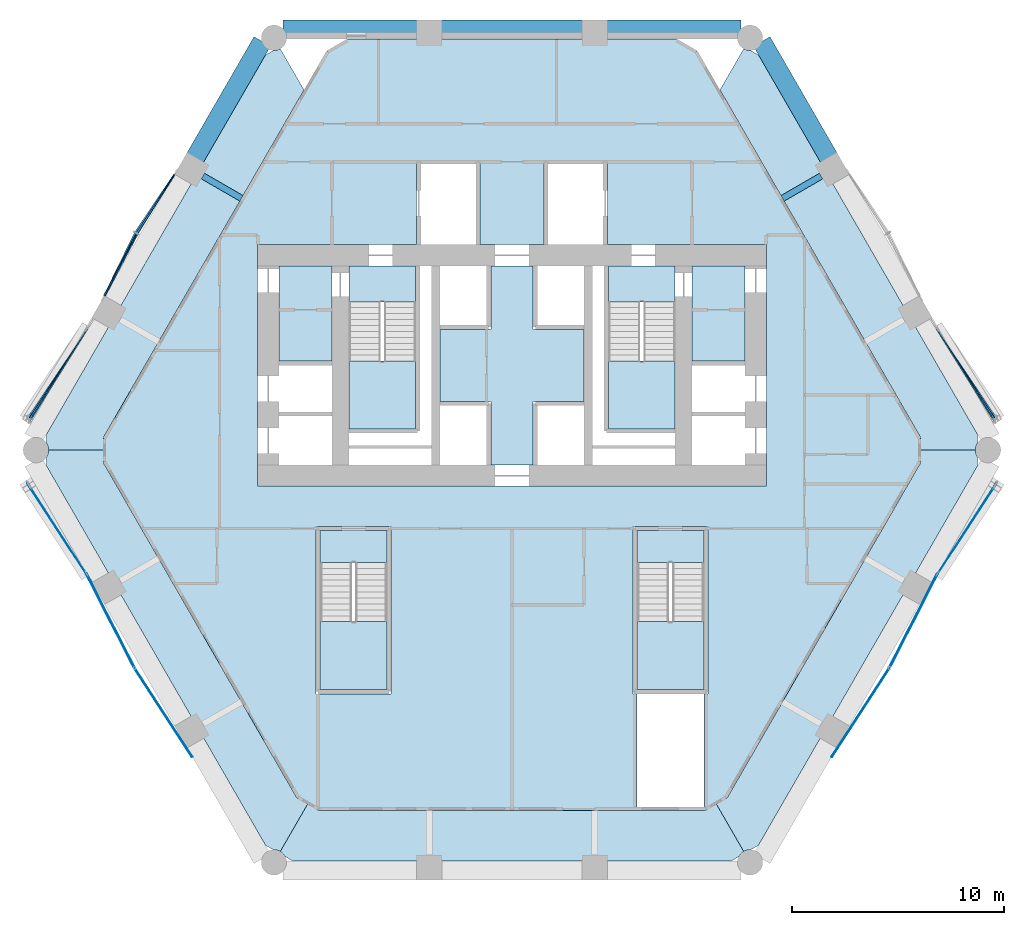
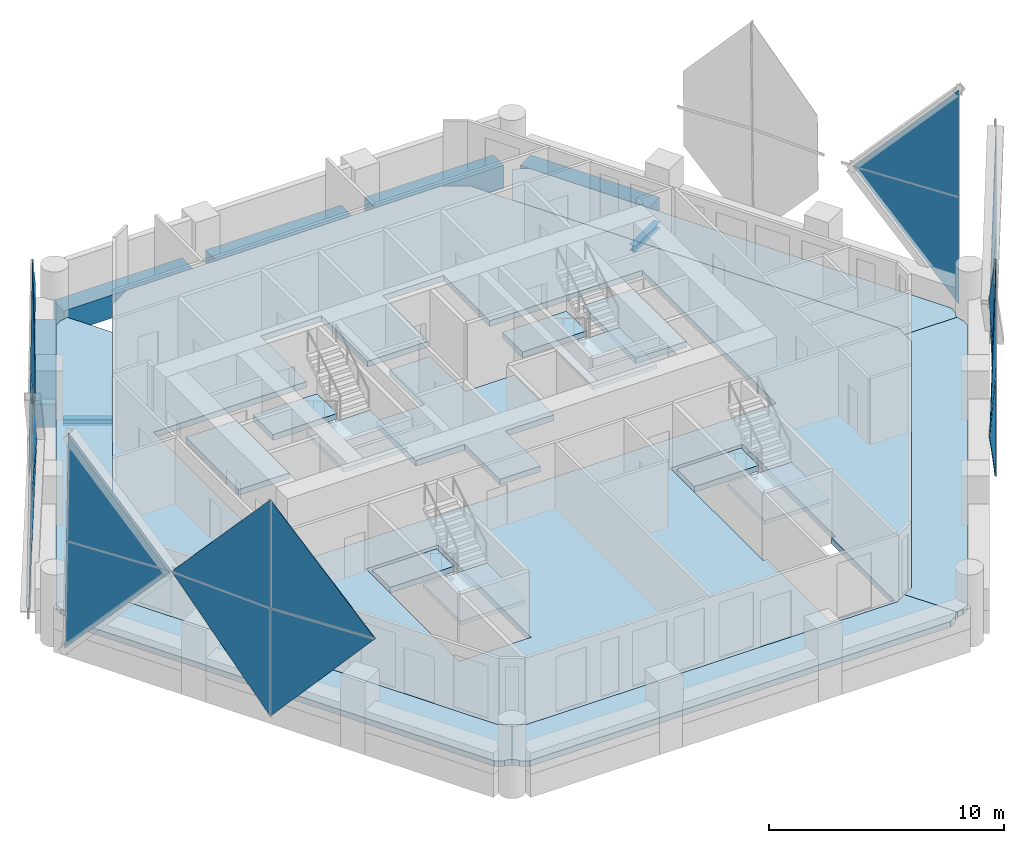
# One storey, part 8 of 16: 20 plates, 17 slabs, 7 beams, 18 elements without a shape of their own.
"""IFC4 building model written with IfcOpenShell, lengths in metres."""

from ifc_helpers import new_model, si_unit, direction, frame, origin, origin_2d, place, context, subcontext, project, spatial, polyline, rectangle, i_section, outline, extrude, material, layer, layer_set, material_profile, profile_set, type_object, element, aggregate, save


model = new_model("IFC4")

# Units and contexts
model_context = context("Model", 3, precision=1e-05, world=origin(), true_north=direction((0.0, 1.0)))
body_context = subcontext(model_context, "Body", "Model", "MODEL_VIEW")
ifc_project = project(units=[si_unit("LENGTHUNIT", "METRE"), si_unit("AREAUNIT", "SQUARE_METRE"), si_unit("VOLUMEUNIT", "CUBIC_METRE"), si_unit("PLANEANGLEUNIT", "RADIAN"), si_unit("MASSUNIT", "GRAM", prefix="KILO")], contexts=[model_context])

# Site, building, storey
site_placement = place(None, origin())
site = spatial("IfcSite", under=ifc_project, at=site_placement, CompositionType="ELEMENT")
building_placement = place(site_placement, origin())
building = spatial("IfcBuilding", under=site, at=building_placement, Name="Ostrander Bayou Hotel Tower", CompositionType="ELEMENT")
storey_placement = place(building_placement, frame((0.0, 0.0, 85.5)))
storey = spatial("IfcBuildingStorey", under=building, at=storey_placement, Name="L21", CompositionType="ELEMENT", Elevation=85.5)

# Beams
ifc_material_1 = material(Name="Steel ASTM A992", Category="steel")
ifc_material_profile_1 = material_profile(ifc_material_1, i_section(OverallWidth=0.3046875, OverallDepth=0.307861328125, WebThickness=0.010009765625, FlangeThickness=0.015380859375, at=origin_2d()))
ifc_profile_set_1 = profile_set([ifc_material_profile_1], Name="Steel ASTM A992")
beam_type_1 = type_object("IfcBeamType", Name="LB1 loggia bracket W12x65", PredefinedType="BEAM", material=ifc_profile_set_1)
for number, where, z_axis, x_axis, name in (
    (1, (-14.587646484375, 12.933349609375, -0.453857421875), (0.866009402589, -0.500027713859, 0.0), (0.500027713859, 0.866009402589, 0.0), "LB1 L21 NW1"),
    (2, (14.587646484375, 12.933349609375, -0.453857421875), (-0.866009402589, -0.500027713859, 0.0), (0.500027713859, -0.866009402589, 0.0), "LB1 L21 NE2"),
):
    element("IfcBeam", number, at=place(storey_placement, frame(where, z_axis=z_axis, x_axis=x_axis)), inside=storey, type_object=beam_type_1, Name=name, PredefinedType="BEAM", context=body_context, shape_type="SweptSolid", body=[
        extrude(i_section(OverallWidth=0.3046875, OverallDepth=0.307861328125, WebThickness=0.010009765625, FlangeThickness=0.015380859375, at=origin_2d()), origin(), (0.0, 0.0, 1.0), 2.10009765625),
    ])
ifc_material_2 = material(Name="Concrete f'c 70 MPa", Category="concrete")
ifc_material_profile_2 = material_profile(ifc_material_2, rectangle(XDim=0.89990234375, YDim=1.199951171875, at=origin_2d()))
ifc_profile_set_2 = profile_set([ifc_material_profile_2], Name="Concrete f'c 70 MPa")
beam_type_2 = type_object("IfcBeamType", Name="SP2 spandrel beam 900 x 1200 mm f'c 70 MPa", PredefinedType="SPANDREL", material=ifc_profile_set_2)
beam_1_placement = place(storey_placement, frame((10.8095703125, 19.85009765625, -0.60009765625), z_axis=(-1.0, 0.0, 0.0), x_axis=(0.0, -1.0, 0.0)))
element("IfcBeam", 3, at=beam_1_placement, inside=storey, type_object=beam_type_2, Name="SP2 L21 N-1", PredefinedType="SPANDREL", context=body_context, shape_type="SweptSolid", body=[
    extrude(rectangle(XDim=0.89990234375, YDim=1.199951171875, at=origin_2d()), origin(), (0.0, 0.0, 1.0), 6.332763671875),
])
beam_2_placement = place(storey_placement, frame((3.336669921875, 19.85009765625, -0.60009765625), z_axis=(-1.0, 0.0, 0.0), x_axis=(0.0, -1.0, 0.0)))
element("IfcBeam", 4, at=beam_2_placement, inside=storey, type_object=beam_type_2, Name="SP2 L21 N-2", PredefinedType="SPANDREL", context=body_context, shape_type="SweptSolid", body=[
    extrude(rectangle(XDim=0.89990234375, YDim=1.199951171875, at=origin_2d()), origin(), (0.0, 0.0, 1.0), 6.67333984375),
])
for number, where, z_axis, x_axis, name in (
    (5, (-4.476806640625, 19.85009765625, -0.60009765625), (-1.0, 0.0, 0.0), (0.0, -1.0, 0.0), "SP2 L21 N-3"),
    (6, (-11.785888671875, 19.286376953125, -0.60009765625), (-0.499982754166, -0.866035360443, 0.0), (0.866035360443, -0.499982754166, 0.0), "SP2 L21 NW-1"),
    (7, (14.9521484375, 13.802001953125, -0.60009765625), (-0.499982754166, 0.866035360443, 0.0), (-0.866035360443, -0.499982754166, 0.0), "SP2 L21 NE-3"),
):
    element("IfcBeam", number, at=place(storey_placement, frame(where, z_axis=z_axis, x_axis=x_axis)), inside=storey, type_object=beam_type_2, Name=name, PredefinedType="SPANDREL", context=body_context, shape_type="SweptSolid", body=[
        extrude(rectangle(XDim=0.89990234375, YDim=1.199951171875, at=origin_2d()), origin(), (0.0, 0.0, 1.0), 6.332763671875),
    ])

# Curtain wall, plate
ifc_material_3 = material(Name="Aluminium and clear glass", Category="aluminium")
curtain_wall_type = type_object("IfcCurtainWallType", Name="CW-LAT lattice glazing", PredefinedType="NOTDEFINED", material=ifc_material_3)
curtain_wall_1_placement = place(storey_placement, origin())
curtain_wall_1 = element("IfcCurtainWall", 8, at=curtain_wall_1_placement, inside=storey, type_object=curtain_wall_type, Name="CW-LAT L21 NW 1", PredefinedType="NOTDEFINED")
ifc_material_4 = material(Name="Clear laminated glass", Category="glass")
ifc_layer_1 = layer(ifc_material_4, 0.028076171875)
ifc_layer_set_1 = layer_set([ifc_layer_1], Name="CW-LA glazing panel 28 mm")
plate_type = type_object("IfcPlateType", Name="CW-LA glazing panel 28 mm", PredefinedType="CURTAIN_PANEL", material=ifc_layer_set_1)
plate_1_placement = place(storey_placement, frame((-15.966552734375, 13.03369140625, 3.068603515625), z_axis=(-0.838699609362, 0.544400974467, 0.014510143183), x_axis=(-0.373832355476, -0.556139096225, -0.742265906296)))
plate_1 = element("IfcPlate", 9, at=plate_1_placement, type_object=plate_type, Name="CW-LAT panel 1", PredefinedType="CURTAIN_PANEL", context=body_context, shape_type="SweptSolid", body=[
    extrude(outline(polyline([(0.0, 0.0), (4.942569122204214, 0.0), (0.7635303929348467, 3.766023813252816), (-1.4518943928046475, 1.3114559578809377), (0.0, 0.0)])), origin(), (0.0, 0.0, -1.0), 0.028076171875),
])

curtain_wall_2_placement = place(storey_placement, origin())
curtain_wall_2 = element("IfcCurtainWall", 10, at=curtain_wall_2_placement, inside=storey, type_object=curtain_wall_type, Name="CW-LAT L21 NW 2", PredefinedType="NOTDEFINED")
plate_2_placement = place(storey_placement, frame((-15.91943359375, 13.001708984375, 6.985595703125), z_axis=(-0.838695797479, 0.544405845681, 0.014547662308), x_axis=(-0.355380148706, -0.567338913331, 0.742853624428)))
plate_2 = element("IfcPlate", 11, at=plate_2_placement, type_object=plate_type, Name="CW-LAT panel 2", PredefinedType="CURTAIN_PANEL", context=body_context, shape_type="SweptSolid", body=[
    extrude(outline(polyline([(0.0, 0.0), (4.932745478580339, 0.0), (0.7561720359575757, -3.768764908269527), (-1.4567315807486296, -1.3126540130581108), (0.0, 0.0)])), origin(), (0.0, 0.0, -1.0), 0.028076171875),
])

curtain_wall_3_placement = place(storey_placement, origin())
curtain_wall_3 = element("IfcCurtainWall", 12, at=curtain_wall_3_placement, inside=storey, type_object=curtain_wall_type, Name="CW-LAT L21 NW 3", PredefinedType="NOTDEFINED")
plate_3_placement = place(storey_placement, frame((-19.2705078125, 7.311279296875, 3.068115234375), z_axis=(-0.890809514225, 0.454144916225, 0.014519105786), x_axis=(0.294688746877, 0.601766784316, -0.742317506029)))
plate_3 = element("IfcPlate", 13, at=plate_3_placement, type_object=plate_type, Name="CW-LAT panel 3", PredefinedType="CURTAIN_PANEL", context=body_context, shape_type="SweptSolid", body=[
    extrude(outline(polyline([(0.0, 0.0), (4.941566976607744, 4.440892098500626e-16), (0.762360273654674, -3.765837409067704), (-1.4528615284952096, -1.3111145170036327), (0.0, 0.0)])), origin(), (0.0, 0.0, -1.0), 0.028076171875),
])
aggregate(curtain_wall_3, [plate_3])

curtain_wall_4_placement = place(storey_placement, origin())
curtain_wall_4 = element("IfcCurtainWall", 14, at=curtain_wall_4_placement, inside=storey, type_object=curtain_wall_type, Name="CW-LAT L21 NW 4", PredefinedType="NOTDEFINED")
plate_4_placement = place(storey_placement, frame((-19.219482421875, 7.28564453125, 6.985595703125), z_axis=(-0.890821034034, 0.454120236097, 0.014584117701), x_axis=(0.313661711001, 0.591435195749, 0.742846377309)))
plate_4 = element("IfcPlate", 15, at=plate_4_placement, type_object=plate_type, Name="CW-LAT panel 4", PredefinedType="CURTAIN_PANEL", context=body_context, shape_type="SweptSolid", body=[
    extrude(outline(polyline([(0.0, 0.0), (4.932789582237867, 0.0), (0.7562527223227851, 3.768805448078878), (-1.4565163911976486, 1.312898863141461), (0.0, 0.0)])), origin(), (0.0, 0.0, -1.0), 0.028076171875),
])
aggregate(curtain_wall_4, [plate_4])

# Plate
plate_5_placement = place(storey_placement, frame((-20.04736328125, 5.724853515625, 5.02490234375), z_axis=(-0.838719895434, 0.544357074827, 0.014977052074), x_axis=(-0.372240751599, -0.553023066907, -0.745387355888)))
plate_5 = element("IfcPlate", 16, at=plate_5_placement, type_object=plate_type, Name="CW-LAT panel 5", PredefinedType="CURTAIN_PANEL", context=body_context, shape_type="SweptSolid", body=[
    extrude(outline(polyline([(0.0, 0.0), (7.546411883121866, -4.440892098500626e-16), (3.3812076209026953, 3.781617493303883), (0.0, 0.0)])), origin(), (0.0, 0.0, -1.0), 0.028076171875),
])

aggregate(curtain_wall_1, [plate_1, plate_5])

plate_6_placement = place(storey_placement, frame((-20.04736328125, 5.724853515625, 5.02490234375), z_axis=(-0.838720352154, 0.544357371253, 0.014940657436), x_axis=(-0.357003417433, -0.570357829596, 0.739757058878)))
plate_6 = element("IfcPlate", 17, at=plate_6_placement, type_object=plate_type, Name="CW-LAT panel 6", PredefinedType="CURTAIN_PANEL", context=body_context, shape_type="SweptSolid", body=[
    extrude(outline(polyline([(0.0, 0.0), (7.60384768552929, 0.0), (3.4128880053806325, -3.753050932780078), (0.0, 0.0)])), origin(), (0.0, 0.0, -1.0), 0.028076171875),
])

aggregate(curtain_wall_2, [plate_2, plate_6])

# Curtain wall, plate
curtain_wall_5_placement = place(storey_placement, origin())
curtain_wall_5 = element("IfcCurtainWall", 18, at=curtain_wall_5_placement, inside=storey, type_object=curtain_wall_type, Name="CW-LAT L21 SW 3", PredefinedType="NOTDEFINED")
plate_7_placement = place(storey_placement, frame((-20.082763671875, -5.826904296875, 5.02490234375), z_axis=(0.838399808493, 0.545055053935, 0.000865619801), x_axis=(-0.365423728311, 0.563269107489, -0.741075847222)))
plate_7 = element("IfcPlate", 19, at=plate_7_placement, type_object=plate_type, Name="CW-LAT panel 1", PredefinedType="CURTAIN_PANEL", context=body_context, shape_type="SweptSolid", body=[
    extrude(outline(polyline([(0.0, 0.0), (7.590316188399406, -4.440892098500626e-16), (3.358388728855167, 3.7067974572164215), (0.0, 0.0)])), origin(), (0.0, 0.0, -1.0), 0.028076171875),
])

curtain_wall_6_placement = place(storey_placement, origin())
curtain_wall_6 = element("IfcCurtainWall", 20, at=curtain_wall_6_placement, inside=storey, type_object=curtain_wall_type, Name="CW-LAT L21 SW 4", PredefinedType="NOTDEFINED")
plate_8_placement = place(storey_placement, frame((-20.082763671875, -5.826904296875, 5.02490234375), z_axis=(0.83839978153, 0.545055036406, 0.000902008653), x_axis=(-0.358902908765, 0.550814907, 0.753519502273)))
plate_8 = element("IfcPlate", 21, at=plate_8_placement, type_object=plate_type, Name="CW-LAT panel 2", PredefinedType="CURTAIN_PANEL", context=body_context, shape_type="SweptSolid", body=[
    extrude(outline(polyline([(0.0, 0.0), (7.464969364468772, 0.0), (3.2883829198544507, -3.769039667519708), (0.0, 0.0)])), origin(), (0.0, 0.0, -1.0), 0.028076171875),
])

curtain_wall_7_placement = place(storey_placement, origin())
curtain_wall_7 = element("IfcCurtainWall", 22, at=curtain_wall_7_placement, inside=storey, type_object=curtain_wall_type, Name="CW-LAT L21 SW 1", PredefinedType="NOTDEFINED")
plate_9_placement = place(storey_placement, frame((-20.082763671875, -5.826904296875, 5.02490234375), z_axis=(-0.891242036207, -0.45352798469, 0.0), x_axis=(0.301375473592, -0.592242374924, -0.74727624963)))
plate_9 = element("IfcPlate", 23, at=plate_9_placement, type_object=plate_type, Name="CW-LAT panel 3", PredefinedType="CURTAIN_PANEL", context=body_context, shape_type="SweptSolid", body=[
    extrude(outline(polyline([(0.0, 0.0), (7.527336781790041, 4.440892098500626e-16), (3.3239078776198085, 3.7378885012244862), (0.0, 0.0)])), origin(), (0.0, 0.0, -1.0), 0.028076171875),
])
aggregate(curtain_wall_7, [plate_9])

curtain_wall_8_placement = place(storey_placement, origin())
curtain_wall_8 = element("IfcCurtainWall", 24, at=curtain_wall_8_placement, inside=storey, type_object=curtain_wall_type, Name="CW-LAT L21 SW 2", PredefinedType="NOTDEFINED")
plate_10_placement = place(storey_placement, frame((-20.082763671875, -5.826904296875, 5.02490234375), z_axis=(0.891242036207, 0.45352798469, 0.0), x_axis=(0.301375473592, -0.592242374924, 0.74727624963)))
plate_10 = element("IfcPlate", 25, at=plate_10_placement, type_object=plate_type, Name="CW-LAT panel 4", PredefinedType="CURTAIN_PANEL", context=body_context, shape_type="SweptSolid", body=[
    extrude(outline(polyline([(0.0, 0.0), (7.527336781790041, 4.440892098500626e-16), (3.3239078776198085, 3.7378885012244862), (0.0, 0.0)])), origin(), (0.0, 0.0, -1.0), 0.028076171875),
])
aggregate(curtain_wall_8, [plate_10])

# Plate
plate_11_placement = place(storey_placement, frame((-15.087890625, -14.478759765625, 5.02490234375), z_axis=(0.838414622279, 0.545032954185, 0.0), x_axis=(-0.362185787391, 0.557144036519, -0.747269682232)))
plate_11 = element("IfcPlate", 26, at=plate_11_placement, type_object=plate_type, Name="CW-LAT panel 5", PredefinedType="CURTAIN_PANEL", context=body_context, shape_type="SweptSolid", body=[
    extrude(outline(polyline([(0.0, 0.0), (7.527402935973257, 8.881784197001252e-16), (3.324010973415985, 3.7379300433674425), (0.0, 0.0)])), origin(), (0.0, 0.0, -1.0), 0.028076171875),
])

aggregate(curtain_wall_5, [plate_7, plate_11])

plate_12_placement = place(storey_placement, frame((-15.087890625, -14.478759765625, 5.02490234375), z_axis=(-0.838414622279, -0.545032954185, 0.0), x_axis=(-0.362185787391, 0.557144036519, 0.747269682232)))
plate_12 = element("IfcPlate", 27, at=plate_12_placement, type_object=plate_type, Name="CW-LAT panel 6", PredefinedType="CURTAIN_PANEL", context=body_context, shape_type="SweptSolid", body=[
    extrude(outline(polyline([(0.0, 0.0), (7.527402935973257, 8.881784197001252e-16), (3.324010973415985, 3.7379300433674425), (0.0, 0.0)])), origin(), (0.0, 0.0, -1.0), 0.028076171875),
])

aggregate(curtain_wall_6, [plate_8, plate_12])

# Curtain wall, plate
curtain_wall_9_placement = place(storey_placement, origin())
curtain_wall_9 = element("IfcCurtainWall", 28, at=curtain_wall_9_placement, inside=storey, type_object=curtain_wall_type, Name="CW-LAT L21 SE 1", PredefinedType="NOTDEFINED")
plate_13_placement = place(storey_placement, frame((15.087890625, -14.478759765625, 5.02490234375), z_axis=(0.838414622279, -0.545032954185, 0.0), x_axis=(0.362185787391, 0.557144036519, -0.747269682232)))
plate_13 = element("IfcPlate", 29, at=plate_13_placement, type_object=plate_type, Name="CW-LAT panel 1", PredefinedType="CURTAIN_PANEL", context=body_context, shape_type="SweptSolid", body=[
    extrude(outline(polyline([(0.0, 0.0), (7.527402935973257, 8.881784197001252e-16), (3.324010973415985, 3.7379300433674425), (0.0, 0.0)])), origin(), (0.0, 0.0, -1.0), 0.028076171875),
])

curtain_wall_10_placement = place(storey_placement, origin())
curtain_wall_10 = element("IfcCurtainWall", 30, at=curtain_wall_10_placement, inside=storey, type_object=curtain_wall_type, Name="CW-LAT L21 SE 2", PredefinedType="NOTDEFINED")
plate_14_placement = place(storey_placement, frame((15.087890625, -14.478759765625, 5.02490234375), z_axis=(-0.838414622279, 0.545032954185, 0.0), x_axis=(0.362185787391, 0.557144036519, 0.747269682232)))
plate_14 = element("IfcPlate", 31, at=plate_14_placement, type_object=plate_type, Name="CW-LAT panel 2", PredefinedType="CURTAIN_PANEL", context=body_context, shape_type="SweptSolid", body=[
    extrude(outline(polyline([(0.0, 0.0), (7.527402935973257, 8.881784197001252e-16), (3.324010973415985, 3.7379300433674425), (0.0, 0.0)])), origin(), (0.0, 0.0, -1.0), 0.028076171875),
])

curtain_wall_11_placement = place(storey_placement, origin())
curtain_wall_11 = element("IfcCurtainWall", 32, at=curtain_wall_11_placement, inside=storey, type_object=curtain_wall_type, Name="CW-LAT L21 SE 3", PredefinedType="NOTDEFINED")
plate_15_placement = place(storey_placement, frame((20.082763671875, -5.826904296875, 5.02490234375), z_axis=(-0.891242036207, 0.45352798469, 0.0), x_axis=(-0.301375473592, -0.592242374924, -0.74727624963)))
plate_15 = element("IfcPlate", 33, at=plate_15_placement, type_object=plate_type, Name="CW-LAT panel 3", PredefinedType="CURTAIN_PANEL", context=body_context, shape_type="SweptSolid", body=[
    extrude(outline(polyline([(0.0, 0.0), (7.527336781790041, 4.440892098500626e-16), (3.3239078776198085, 3.7378885012244862), (0.0, 0.0)])), origin(), (0.0, 0.0, -1.0), 0.028076171875),
])
aggregate(curtain_wall_11, [plate_15])

curtain_wall_12_placement = place(storey_placement, origin())
curtain_wall_12 = element("IfcCurtainWall", 34, at=curtain_wall_12_placement, inside=storey, type_object=curtain_wall_type, Name="CW-LAT L21 SE 4", PredefinedType="NOTDEFINED")
plate_16_placement = place(storey_placement, frame((20.082763671875, -5.826904296875, 5.02490234375), z_axis=(0.891242036207, -0.45352798469, 0.0), x_axis=(-0.301375473592, -0.592242374924, 0.74727624963)))
plate_16 = element("IfcPlate", 35, at=plate_16_placement, type_object=plate_type, Name="CW-LAT panel 4", PredefinedType="CURTAIN_PANEL", context=body_context, shape_type="SweptSolid", body=[
    extrude(outline(polyline([(0.0, 0.0), (7.527336781790041, 4.440892098500626e-16), (3.3239078776198085, 3.7378885012244862), (0.0, 0.0)])), origin(), (0.0, 0.0, -1.0), 0.028076171875),
])
aggregate(curtain_wall_12, [plate_16])

# Plate
plate_17_placement = place(storey_placement, frame((20.082763671875, -5.826904296875, 5.02490234375), z_axis=(-0.838399808493, 0.545055053935, 0.000865619801), x_axis=(0.365423728311, 0.563269107489, -0.741075847222)))
plate_17 = element("IfcPlate", 36, at=plate_17_placement, type_object=plate_type, Name="CW-LAT panel 5", PredefinedType="CURTAIN_PANEL", context=body_context, shape_type="SweptSolid", body=[
    extrude(outline(polyline([(0.0, 0.0), (7.590316188399406, 4.440892098500626e-16), (3.358388728855167, -3.7067974572164215), (0.0, 0.0)])), origin(), (0.0, 0.0, -1.0), 0.028076171875),
])

aggregate(curtain_wall_9, [plate_13, plate_17])

plate_18_placement = place(storey_placement, frame((20.082763671875, -5.826904296875, 5.02490234375), z_axis=(-0.83839978153, 0.545055036406, 0.000902008653), x_axis=(0.358902908765, 0.550814907, 0.753519502273)))
plate_18 = element("IfcPlate", 37, at=plate_18_placement, type_object=plate_type, Name="CW-LAT panel 6", PredefinedType="CURTAIN_PANEL", context=body_context, shape_type="SweptSolid", body=[
    extrude(outline(polyline([(0.0, 0.0), (7.464969364468772, 0.0), (3.2883829198544507, 3.769039667519708), (0.0, 0.0)])), origin(), (0.0, 0.0, -1.0), 0.028076171875),
])

aggregate(curtain_wall_10, [plate_14, plate_18])

# Curtain wall, plate
curtain_wall_13_placement = place(storey_placement, origin())
curtain_wall_13 = element("IfcCurtainWall", 38, at=curtain_wall_13_placement, inside=storey, type_object=curtain_wall_type, Name="CW-LAT L21 NE 3", PredefinedType="NOTDEFINED")
plate_19_placement = place(storey_placement, frame((20.04736328125, 5.724853515625, 5.02490234375), z_axis=(0.838719895434, 0.544357074827, 0.014977052074), x_axis=(0.372240751599, -0.553023066907, -0.745387355888)))
plate_19 = element("IfcPlate", 39, at=plate_19_placement, type_object=plate_type, Name="CW-LAT panel 1", PredefinedType="CURTAIN_PANEL", context=body_context, shape_type="SweptSolid", body=[
    extrude(outline(polyline([(0.0, 0.0), (7.546411883121866, 4.440892098500626e-16), (3.3812076209026953, -3.781617493303883), (0.0, 0.0)])), origin(), (0.0, 0.0, -1.0), 0.028076171875),
])
aggregate(curtain_wall_13, [plate_19])

curtain_wall_14_placement = place(storey_placement, origin())
curtain_wall_14 = element("IfcCurtainWall", 40, at=curtain_wall_14_placement, inside=storey, type_object=curtain_wall_type, Name="CW-LAT L21 NE 4", PredefinedType="NOTDEFINED")
plate_20_placement = place(storey_placement, frame((20.04736328125, 5.724853515625, 5.02490234375), z_axis=(0.838720352154, 0.544357371253, 0.014940657436), x_axis=(0.357003417433, -0.570357829596, 0.739757058878)))
plate_20 = element("IfcPlate", 41, at=plate_20_placement, type_object=plate_type, Name="CW-LAT panel 2", PredefinedType="CURTAIN_PANEL", context=body_context, shape_type="SweptSolid", body=[
    extrude(outline(polyline([(0.0, 0.0), (7.60384768552929, 0.0), (3.4128880053806325, 3.753050932780078), (0.0, 0.0)])), origin(), (0.0, 0.0, -1.0), 0.028076171875),
])
aggregate(curtain_wall_14, [plate_20])

# Slabs
ifc_material_5 = material(Name="Concrete f'c 40 MPa", Category="concrete")
ifc_layer_2 = layer(ifc_material_5, 0.300048828125)
ifc_layer_set_2 = layer_set([ifc_layer_2], Name="SL1 floor slab 300 mm f'c 40 MPa")
slab_type_1 = type_object("IfcSlabType", Name="SL1 floor slab 300 mm f'c 40 MPa", PredefinedType="FLOOR", material=ifc_layer_set_2)
slab_1_placement = place(storey_placement, frame((0.0, 0.0, -0.300048828125)))
element("IfcSlab", 42, at=slab_1_placement, inside=storey, type_object=slab_type_1, Name="SL1 L21 1", PredefinedType="FLOOR", context=body_context, shape_type="SweptSolid", body=[
    extrude(outline(polyline([(-3.336669921875, 19.39990234375), (3.336669921875, 19.39990234375), (4.476806640625, 19.39990234375), (7.736572265625, 19.39990234375), (8.775634765625, 18.800048828125), (19.283447265625, 0.60009765625), (19.283447265625, -0.60009765625), (10.161376953125, -16.39990234375), (9.1220703125, -17.0), (-9.1220703125, -17.0), (-10.161376953125, -16.39990234375), (-19.283447265625, -0.60009765625), (-19.283447265625, 0.60009765625), (-8.775634765625, 18.800048828125), (-7.736572265625, 19.39990234375), (-4.476806640625, 19.39990234375), (-3.336669921875, 19.39990234375)]), holes=[polyline([(-12.0, -1.699951171875), (12.0, -1.699951171875), (12.0, 9.699951171875), (4.5, 9.699951171875), (4.5, 13.60009765625), (1.5, 13.60009765625), (1.5, 9.699951171875), (-1.5, 9.699951171875), (-1.5, 13.60009765625), (-4.5, 13.60009765625), (-4.5, 9.699951171875), (-12.0, 9.699951171875), (-12.0, -1.699951171875)]), polyline([(9.050048828125, -11.5), (9.25, -11.5), (9.25, -3.60009765625), (5.699951171875, -3.60009765625), (5.699951171875, -11.5), (5.89990234375, -11.5), (5.89990234375, -16.85009765625), (9.050048828125, -16.85009765625), (9.050048828125, -11.5)]), polyline([(-5.699951171875, -3.60009765625), (-9.25, -3.60009765625), (-9.25, -11.5), (-5.699951171875, -11.5), (-5.699951171875, -3.60009765625)])]), origin(), (0.0, 0.0, 1.0), 0.300048828125),
])
slab_2_placement = place(storey_placement, frame((0.0, 0.0, -0.300048828125)))
element("IfcSlab", 43, at=slab_2_placement, inside=storey, type_object=slab_type_1, Name="cslab:L21:001", PredefinedType="FLOOR", context=body_context, shape_type="SweptSolid", body=[
    extrude(outline(polyline([(-3.39990234375, 5.699951171875), (-1.0, 5.699951171875), (-1.0, 8.699951171875), (1.0, 8.699951171875), (1.0, 5.699951171875), (3.39990234375, 5.699951171875), (3.39990234375, 2.300048828125), (1.0, 2.300048828125), (1.0, -0.699951171875), (-1.0, -0.699951171875), (-1.0, 2.300048828125), (-3.39990234375, 2.300048828125), (-3.39990234375, 5.699951171875)])), origin(), (0.0, 0.0, 1.0), 0.300048828125),
])
slab_3_placement = place(storey_placement, frame((0.0, 0.0, -0.300048828125)))
element("IfcSlab", 44, at=slab_3_placement, inside=storey, type_object=slab_type_1, Name="cslab:L21:002", PredefinedType="FLOOR", context=body_context, shape_type="SweptSolid", body=[
    extrude(outline(polyline([(-8.5, 4.199951171875), (-8.5, 8.699951171875), (-11.0, 8.699951171875), (-11.0, 4.199951171875), (-8.5, 4.199951171875)])), origin(), (0.0, 0.0, 1.0), 0.300048828125),
])
slab_4_placement = place(storey_placement, frame((0.0, 0.0, -0.300048828125)))
element("IfcSlab", 45, at=slab_4_placement, inside=storey, type_object=slab_type_1, Name="cslab:L21:003", PredefinedType="FLOOR", context=body_context, shape_type="SweptSolid", body=[
    extrude(outline(polyline([(11.0, 4.199951171875), (11.0, 8.699951171875), (8.5, 8.699951171875), (8.5, 4.199951171875), (11.0, 4.199951171875)])), origin(), (0.0, 0.0, 1.0), 0.300048828125),
])
slab_5_placement = place(storey_placement, frame((0.0, 0.0, -0.300048828125)))
element("IfcSlab", 46, at=slab_5_placement, inside=storey, type_object=slab_type_1, Name="cslab:L21:004", PredefinedType="FLOOR", context=body_context, shape_type="SweptSolid", body=[
    extrude(outline(polyline([(-4.550048828125, 7.0), (-4.550048828125, 8.699951171875), (-7.699951171875, 8.699951171875), (-7.699951171875, 7.0), (-4.550048828125, 7.0)])), origin(), (0.0, 0.0, 1.0), 0.300048828125),
])
slab_6_placement = place(storey_placement, frame((0.0, 0.0, -0.300048828125)))
element("IfcSlab", 47, at=slab_6_placement, inside=storey, type_object=slab_type_1, Name="cslab:L21:005", PredefinedType="FLOOR", context=body_context, shape_type="SweptSolid", body=[
    extrude(outline(polyline([(7.699951171875, 7.0), (7.699951171875, 8.699951171875), (4.550048828125, 8.699951171875), (4.550048828125, 7.0), (7.699951171875, 7.0)])), origin(), (0.0, 0.0, 1.0), 0.300048828125),
])
slab_7_placement = place(storey_placement, frame((0.0, 0.0, -0.300048828125)))
element("IfcSlab", 48, at=slab_7_placement, inside=storey, type_object=slab_type_1, Name="cslab:L21:006", PredefinedType="FLOOR", context=body_context, shape_type="SweptSolid", body=[
    extrude(outline(polyline([(9.050048828125, -5.300048828125), (9.050048828125, -3.800048828125), (5.89990234375, -3.800048828125), (5.89990234375, -5.300048828125), (9.050048828125, -5.300048828125)])), origin(), (0.0, 0.0, 1.0), 0.300048828125),
])
slab_8_placement = place(storey_placement, frame((0.0, 0.0, -0.300048828125)))
element("IfcSlab", 49, at=slab_8_placement, inside=storey, type_object=slab_type_1, Name="cslab:L21:007", PredefinedType="FLOOR", context=body_context, shape_type="SweptSolid", body=[
    extrude(outline(polyline([(-5.89990234375, -5.300048828125), (-5.89990234375, -3.800048828125), (-9.050048828125, -3.800048828125), (-9.050048828125, -5.300048828125), (-5.89990234375, -5.300048828125)])), origin(), (0.0, 0.0, 1.0), 0.300048828125),
])
ifc_material_6 = material(Name="Concrete f'c 40 MPa", Category="concrete")
ifc_layer_3 = layer(ifc_material_6, 0.300048828125)
ifc_layer_set_3 = layer_set([ifc_layer_3], Name="SL4 loggia slab 300 mm f'c 40 MPa")
slab_type_2 = type_object("IfcSlabType", Name="SL4 loggia slab 300 mm f'c 40 MPa", PredefinedType="FLOOR", material=ifc_layer_set_3)
slab_9_placement = place(storey_placement, frame((0.0, 0.0, -0.300048828125)))
element("IfcSlab", 50, at=slab_9_placement, inside=storey, type_object=slab_type_2, Name="SL4 LOGGIA L21 NW 1", PredefinedType="FLOOR", context=body_context, shape_type="SweptSolid", body=[
    extrude(outline(polyline([(-21.869140625, 0.0), (-21.880615234375, 0.1171875), (-21.914794921875, 0.2294921875), (-21.96826171875, 0.32958984375), (-21.96826171875, 0.75), (-18.46923828125, 6.810302734375), (-17.10009765625, 9.181884765625), (-13.84619140625, 14.81787109375), (-12.3515625, 17.406494140625), (-11.633544921875, 18.64990234375), (-11.266357421875, 18.862060546875), (-11.234619140625, 18.85888671875), (-11.117431640625, 18.870361328125), (-11.0048828125, 18.904541015625), (-10.935791015625, 18.94140625), (-9.81494140625, 17.0), (-19.283447265625, 0.60009765625), (-19.283447265625, 0.0), (-21.869140625, 0.0)])), origin(), (0.0, 0.0, 1.0), 0.300048828125),
])
slab_10_placement = place(storey_placement, frame((0.0, 0.0, -0.300048828125)))
element("IfcSlab", 51, at=slab_10_placement, inside=storey, type_object=slab_type_2, Name="SL4 LOGGIA L21 SW 1", PredefinedType="FLOOR", context=body_context, shape_type="SweptSolid", body=[
    extrude(outline(polyline([(-9.6416015625, -16.699951171875), (-10.935791015625, -18.94140625), (-11.0048828125, -18.904541015625), (-11.117431640625, -18.870361328125), (-11.234619140625, -18.85888671875), (-11.266357421875, -18.862060546875), (-11.633544921875, -18.64990234375), (-14.5625, -13.576904296875), (-15.132568359375, -12.589599609375), (-18.46923828125, -6.810302734375), (-19.039306640625, -5.822998046875), (-21.96826171875, -0.75), (-21.96826171875, -0.32958984375), (-21.914794921875, -0.2294921875), (-21.880615234375, -0.1171875), (-21.869140625, 0.0), (-19.283447265625, 0.0), (-19.283447265625, -0.60009765625), (-10.161376953125, -16.39990234375), (-9.6416015625, -16.699951171875)])), origin(), (0.0, 0.0, 1.0), 0.300048828125),
])
slab_11_placement = place(storey_placement, frame((0.0, 0.0, -0.300048828125)))
element("IfcSlab", 52, at=slab_11_placement, inside=storey, type_object=slab_type_2, Name="SL4 LOGGIA L21 S 1", PredefinedType="FLOOR", context=body_context, shape_type="SweptSolid", body=[
    extrude(outline(polyline([(9.6416015625, -16.699951171875), (10.935791015625, -18.94140625), (10.901123046875, -18.9599609375), (10.810302734375, -19.03466796875), (10.735595703125, -19.12548828125), (10.702392578125, -19.1875), (10.334716796875, -19.39990234375), (4.476806640625, -19.39990234375), (3.336669921875, -19.39990234375), (-3.336669921875, -19.39990234375), (-4.476806640625, -19.39990234375), (-10.334716796875, -19.39990234375), (-10.702392578125, -19.1875), (-10.735595703125, -19.12548828125), (-10.810302734375, -19.03466796875), (-10.901123046875, -18.9599609375), (-10.935791015625, -18.94140625), (-9.6416015625, -16.699951171875), (-9.1220703125, -17.0), (9.1220703125, -17.0), (9.6416015625, -16.699951171875)])), origin(), (0.0, 0.0, 1.0), 0.300048828125),
])
slab_12_placement = place(storey_placement, frame((0.0, 0.0, -0.300048828125)))
element("IfcSlab", 53, at=slab_12_placement, inside=storey, type_object=slab_type_2, Name="SL4 LOGGIA L21 SE 1", PredefinedType="FLOOR", context=body_context, shape_type="SweptSolid", body=[
    extrude(outline(polyline([(19.283447265625, 0.0), (21.869140625, 0.0), (21.880615234375, -0.1171875), (21.914794921875, -0.2294921875), (21.96826171875, -0.32958984375), (21.96826171875, -0.75), (19.039306640625, -5.822998046875), (18.46923828125, -6.810302734375), (15.132568359375, -12.589599609375), (14.5625, -13.576904296875), (11.633544921875, -18.64990234375), (11.266357421875, -18.862060546875), (11.234619140625, -18.85888671875), (11.117431640625, -18.870361328125), (11.0048828125, -18.904541015625), (10.935791015625, -18.94140625), (9.6416015625, -16.699951171875), (10.161376953125, -16.39990234375), (19.283447265625, -0.60009765625), (19.283447265625, 0.0)])), origin(), (0.0, 0.0, 1.0), 0.300048828125),
])
slab_13_placement = place(storey_placement, frame((0.0, 0.0, -0.300048828125)))
element("IfcSlab", 54, at=slab_13_placement, inside=storey, type_object=slab_type_2, Name="SL4 LOGGIA L21 NE 1", PredefinedType="FLOOR", context=body_context, shape_type="SweptSolid", body=[
    extrude(outline(polyline([(10.935791015625, 18.94140625), (11.0048828125, 18.904541015625), (11.117431640625, 18.870361328125), (11.234619140625, 18.85888671875), (11.266357421875, 18.862060546875), (11.633544921875, 18.64990234375), (12.0849609375, 17.868408203125), (13.149658203125, 16.0244140625), (14.5625, 13.576904296875), (15.132568359375, 12.589599609375), (15.629638671875, 11.728515625), (15.8193359375, 11.400146484375), (18.46923828125, 6.810302734375), (19.039306640625, 5.822998046875), (21.96826171875, 0.75), (21.96826171875, 0.32958984375), (21.914794921875, 0.2294921875), (21.880615234375, 0.1171875), (21.869140625, 0.0), (19.283447265625, 0.0), (19.283447265625, 0.60009765625), (9.81494140625, 17.0), (10.935791015625, 18.94140625)])), origin(), (0.0, 0.0, 1.0), 0.300048828125),
])

# Stair, slab
ifc_material_7 = material(Name="Concrete f'c 45 MPa", Category="concrete")
stair_type = type_object("IfcStairType", Name="ST1 exit stair 1500 mm f'c 45 MPa", PredefinedType="HALF_TURN_STAIR", material=ifc_material_7)
stair_1_placement = place(storey_placement, origin())
stair_1 = element("IfcStair", 55, at=stair_1_placement, inside=storey, type_object=stair_type, Name="L21 exit stair A", PredefinedType="HALF_TURN_STAIR")
ifc_material_8 = material(Name="Concrete f'c 45 MPa", Category="concrete")
ifc_layer_4 = layer(ifc_material_8, 0.199951171875)
ifc_layer_set_4 = layer_set([ifc_layer_4], Name="SL8 stair landing 200 mm f'c 45 MPa")
slab_type_3 = type_object("IfcSlabType", Name="SL8 stair landing 200 mm f'c 45 MPa", PredefinedType="LANDING", material=ifc_layer_set_4)
slab_14_placement = place(storey_placement, frame((0.0, 0.0, 1.675048828125)))
slab_14 = element("IfcSlab", 56, at=slab_14_placement, type_object=slab_type_3, Name="STA landing 1", PredefinedType="LANDING", context=body_context, shape_type="SweptSolid", body=[
    extrude(outline(polyline([(-7.699951171875, 4.199951171875), (-7.699951171875, 1.0), (-4.550048828125, 1.0), (-4.550048828125, 4.199951171875), (-7.699951171875, 4.199951171875)])), origin(), (0.0, 0.0, 1.0), 0.199951171875),
])
aggregate(stair_1, [slab_14])

stair_2_placement = place(storey_placement, origin())
stair_2 = element("IfcStair", 57, at=stair_2_placement, inside=storey, type_object=stair_type, Name="L21 exit stair B", PredefinedType="HALF_TURN_STAIR")
slab_15_placement = place(storey_placement, frame((0.0, 0.0, 1.675048828125)))
slab_15 = element("IfcSlab", 58, at=slab_15_placement, type_object=slab_type_3, Name="STB landing 1", PredefinedType="LANDING", context=body_context, shape_type="SweptSolid", body=[
    extrude(outline(polyline([(4.550048828125, 4.199951171875), (4.550048828125, 1.0), (7.699951171875, 1.0), (7.699951171875, 4.199951171875), (4.550048828125, 4.199951171875)])), origin(), (0.0, 0.0, 1.0), 0.199951171875),
])
aggregate(stair_2, [slab_15])

stair_3_placement = place(storey_placement, origin())
stair_3 = element("IfcStair", 59, at=stair_3_placement, inside=storey, type_object=stair_type, Name="L21 exit stair C", PredefinedType="HALF_TURN_STAIR")
slab_16_placement = place(storey_placement, frame((0.0, 0.0, 1.675048828125)))
slab_16 = element("IfcSlab", 60, at=slab_16_placement, type_object=slab_type_3, Name="STC landing 1", PredefinedType="LANDING", context=body_context, shape_type="SweptSolid", body=[
    extrude(outline(polyline([(5.89990234375, -8.10009765625), (5.89990234375, -11.300048828125), (9.050048828125, -11.300048828125), (9.050048828125, -8.10009765625), (5.89990234375, -8.10009765625)])), origin(), (0.0, 0.0, 1.0), 0.199951171875),
])
aggregate(stair_3, [slab_16])

stair_4_placement = place(storey_placement, origin())
stair_4 = element("IfcStair", 61, at=stair_4_placement, inside=storey, type_object=stair_type, Name="L21 exit stair D", PredefinedType="HALF_TURN_STAIR")
slab_17_placement = place(storey_placement, frame((0.0, 0.0, 1.675048828125)))
slab_17 = element("IfcSlab", 62, at=slab_17_placement, type_object=slab_type_3, Name="STD landing 1", PredefinedType="LANDING", context=body_context, shape_type="SweptSolid", body=[
    extrude(outline(polyline([(-9.050048828125, -8.10009765625), (-9.050048828125, -11.300048828125), (-5.89990234375, -11.300048828125), (-5.89990234375, -8.10009765625), (-9.050048828125, -8.10009765625)])), origin(), (0.0, 0.0, 1.0), 0.199951171875),
])
aggregate(stair_4, [slab_17])

save(model, "model.ifc")
